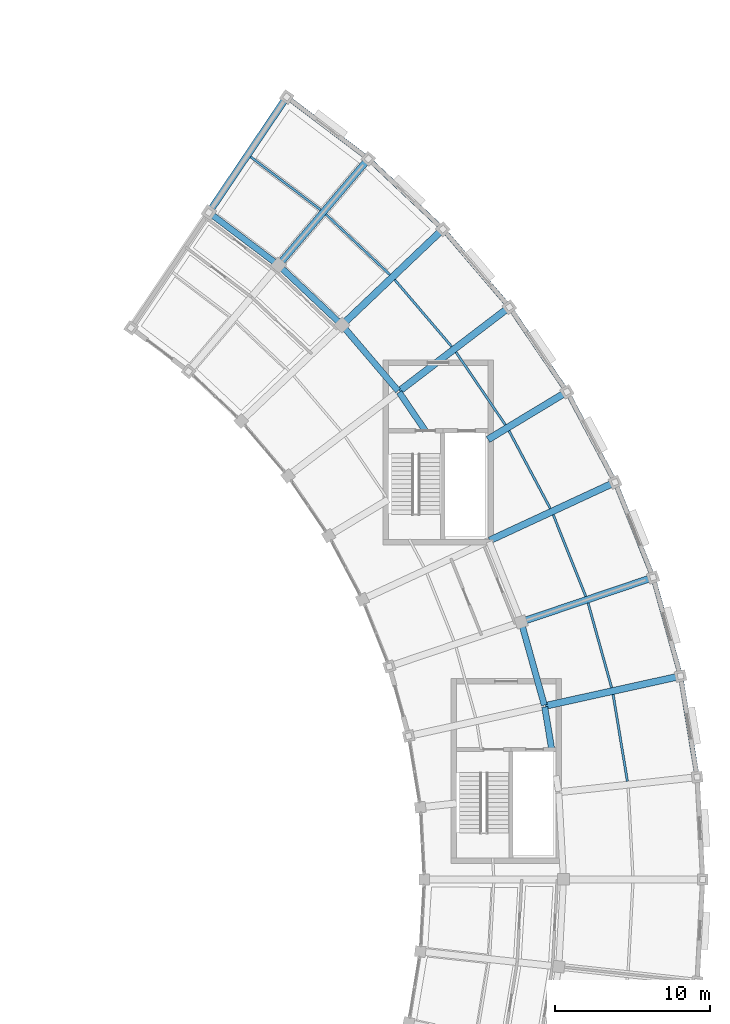
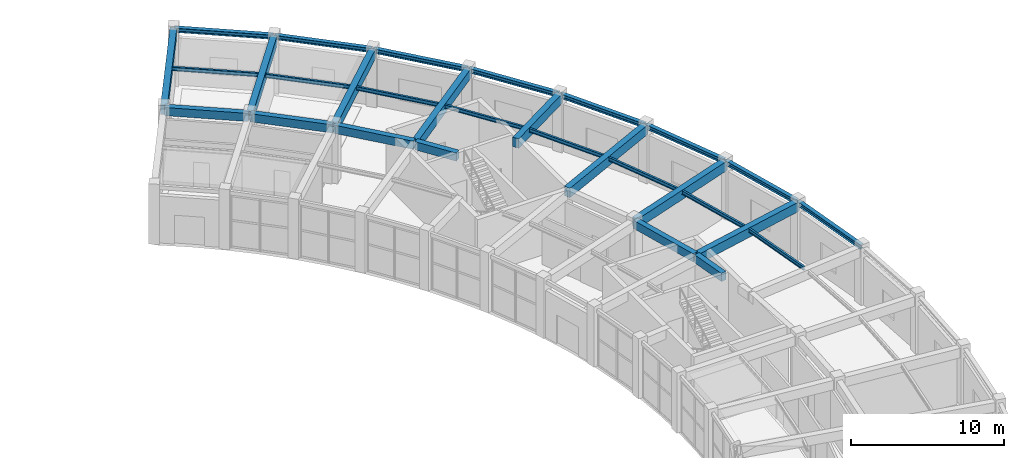
# One storey, part 76 of 108: 30 beams.
"""IFC4 building model written with IfcOpenShell, lengths in metres."""

from ifc_helpers import new_model, si_unit, direction, frame, origin, origin_2d, place, context, subcontext, project, spatial, rectangle, i_section, extrude, material, material_profile, profile_set, type_object, element, save


model = new_model("IFC4")

# Units and contexts
model_context = context("Model", 3, precision=1e-05, world=origin(), true_north=direction((0.0, 1.0)))
body_context = subcontext(model_context, "Body", "Model", "MODEL_VIEW")
ifc_project = project(units=[si_unit("LENGTHUNIT", "METRE"), si_unit("AREAUNIT", "SQUARE_METRE"), si_unit("VOLUMEUNIT", "CUBIC_METRE"), si_unit("PLANEANGLEUNIT", "RADIAN"), si_unit("MASSUNIT", "GRAM", prefix="KILO")], contexts=[model_context])

# Site, building, storey
site_placement = place(None, origin())
site = spatial("IfcSite", under=ifc_project, at=site_placement, CompositionType="ELEMENT")
building_placement = place(site_placement, origin())
building = spatial("IfcBuilding", under=site, at=building_placement, Name="Tarnveldt Headland Concert Hall", CompositionType="ELEMENT")
storey_placement = place(building_placement, origin())
storey = spatial("IfcBuildingStorey", under=building, at=storey_placement, Name="L00", CompositionType="ELEMENT", Elevation=0.0)

# Beams
ifc_material_1 = material(Name="Concrete C40/50", Category="concrete")
ifc_material_profile_1 = material_profile(ifc_material_1, rectangle(XDim=0.39990234375, YDim=0.64990234375, at=origin_2d()), Name="RC 400x650", Category="concrete")
ifc_profile_set_1 = profile_set([ifc_material_profile_1], Name="Concrete C40/50")
beam_type_1 = type_object("IfcBeamType", Name="CB-400x650", PredefinedType="BEAM", material=ifc_profile_set_1)
beam_1_placement = place(storey_placement, frame((168.739501953125, 68.39990234375, 4.195068359375), z_axis=(-0.162179692028, 0.986761241382, 0.0), x_axis=(-0.986761241382, -0.162179692028, 0.0)))
element("IfcBeam", 1, at=beam_1_placement, inside=storey, type_object=beam_type_1, Name="Framing beam L00-498", PredefinedType="BEAM", context=body_context, shape_type="SweptSolid", body=[
    extrude(rectangle(XDim=0.39990234375, YDim=0.64990234375, at=origin_2d()), origin(), (0.0, 0.0, 1.0), 2.783447265625),
])
beam_2_placement = place(storey_placement, frame((168.26220703125, 71.263427734375, 4.195068359375), z_axis=(-0.268165788284, 0.963372778313, 0.0), x_axis=(-0.963372778313, -0.268165788284, 0.0)))
element("IfcBeam", 2, at=beam_2_placement, inside=storey, type_object=beam_type_1, Name="Framing beam L00-505", PredefinedType="BEAM", context=body_context, shape_type="SweptSolid", body=[
    extrude(rectangle(XDim=0.39990234375, YDim=0.64990234375, at=origin_2d()), origin(), (0.0, 0.0, 1.0), 5.5244140625),
])
beam_3_placement = place(storey_placement, frame((160.57080078125, 89.0, 4.195068359375), z_axis=(-0.562434400968, 0.826841910288, 0.0), x_axis=(-0.826841910288, -0.562434400968, 0.0)))
element("IfcBeam", 3, at=beam_3_placement, inside=storey, type_object=beam_type_1, Name="Framing beam L00-525", PredefinedType="BEAM", context=body_context, shape_type="SweptSolid", body=[
    extrude(rectangle(XDim=0.39990234375, YDim=0.64990234375, at=origin_2d()), origin(), (0.0, 0.0, 1.0), 3.00634765625),
])
for number, where, z_axis, x_axis, name in (
    (4, (158.807373046875, 91.581298828125, 4.195068359375), (-0.648725364662, 0.761022602322, 0.0), (-0.761022602322, -0.648725364662, 0.0), "Framing beam L00-532"),
    (5, (155.14111328125, 95.872314453125, 4.195068359375), (-0.727401560734, 0.686212044081, 0.0), (-0.686212044081, -0.727401560734, 0.0), "Framing beam L00-539"),
):
    element("IfcBeam", number, at=place(storey_placement, frame(where, z_axis=z_axis, x_axis=x_axis)), inside=storey, type_object=beam_type_1, Name=name, PredefinedType="BEAM", context=body_context, shape_type="SweptSolid", body=[
        extrude(rectangle(XDim=0.39990234375, YDim=0.64990234375, at=origin_2d()), origin(), (0.0, 0.0, 1.0), 5.524169921875),
    ])
beam_4_placement = place(storey_placement, frame((151.031494140625, 99.740478515625, 4.195068359375), z_axis=(-0.79747936857, 0.603346216285, 0.0), x_axis=(-0.603346216285, -0.79747936857, 0.0)))
element("IfcBeam", 6, at=beam_4_placement, inside=storey, type_object=beam_type_1, Name="Framing beam L00-546", PredefinedType="BEAM", context=body_context, shape_type="SweptSolid", body=[
    extrude(rectangle(XDim=0.39990234375, YDim=0.64990234375, at=origin_2d()), origin(), (0.0, 0.0, 1.0), 5.524658203125),
])
ifc_material_profile_2 = material_profile(ifc_material_1, rectangle(XDim=0.449951171875, YDim=0.75, at=origin_2d()), Name="RC 450x750", Category="concrete")
ifc_profile_set_2 = profile_set([ifc_material_profile_2], Name="Concrete C40/50")
beam_type_2 = type_object("IfcBeamType", Name="CB-450x750", PredefinedType="BEAM", material=ifc_profile_set_2)
for number, where, z_axis, x_axis, name in (
    (7, (168.3369140625, 71.218505859375, 4.14501953125), (0.976505569656, 0.215492163268, 0.0), (-0.215492163268, 0.976505569656, 0.0), "Framing beam L00-503"),
    (8, (166.8212890625, 76.662353515625, 4.14501953125), (0.947394358085, 0.320068633686, 0.0), (-0.320068633686, 0.947394358085, 0.0), "Framing beam L00-510"),
    (9, (164.724853515625, 81.909912109375, 4.14501953125), (0.907125568287, 0.420860075749, 0.0), (-0.420860075749, 0.907125568287, 0.0), "Framing beam L00-517"),
):
    element("IfcBeam", number, at=place(storey_placement, frame(where, z_axis=z_axis, x_axis=x_axis)), inside=storey, type_object=beam_type_2, Name=name, PredefinedType="BEAM", context=body_context, shape_type="SweptSolid", body=[
        extrude(rectangle(XDim=0.449951171875, YDim=0.75, at=origin_2d()), origin(), (0.0, 0.0, 1.0), 8.880126953125),
    ])
beam_5_placement = place(storey_placement, frame((164.6201171875, 88.43701171875, 4.14501953125), z_axis=(0.856147288877, 0.516731864461, 0.0), x_axis=(-0.516731864461, 0.856147288877, 0.0)))
element("IfcBeam", 10, at=beam_5_placement, inside=storey, type_object=beam_type_2, Name="Framing beam L00-523", PredefinedType="BEAM", context=body_context, shape_type="SweptSolid", body=[
    extrude(rectangle(XDim=0.449951171875, YDim=0.75, at=origin_2d()), origin(), (0.0, 0.0, 1.0), 5.904052734375),
])
beam_6_placement = place(storey_placement, frame((158.89404296875, 91.572021484375, 4.14501953125), z_axis=(0.795130566959, 0.606438275084, 0.0), x_axis=(-0.606438275084, 0.795130566959, 0.0)))
element("IfcBeam", 11, at=beam_6_placement, inside=storey, type_object=beam_type_2, Name="Framing beam L00-530", PredefinedType="BEAM", context=body_context, shape_type="SweptSolid", body=[
    extrude(rectangle(XDim=0.449951171875, YDim=0.75, at=origin_2d()), origin(), (0.0, 0.0, 1.0), 8.879638671875),
])
beam_7_placement = place(storey_placement, frame((155.228271484375, 95.872314453125, 4.14501953125), z_axis=(0.724698020854, 0.689066599517, 0.0), x_axis=(-0.689066599517, 0.724698020854, 0.0)))
element("IfcBeam", 12, at=beam_7_placement, inside=storey, type_object=beam_type_2, Name="Framing beam L00-537", PredefinedType="BEAM", context=body_context, shape_type="SweptSolid", body=[
    extrude(rectangle(XDim=0.449951171875, YDim=0.75, at=origin_2d()), origin(), (0.0, 0.0, 1.0), 8.8798828125),
])
beam_8_placement = place(storey_placement, frame((151.117919921875, 99.750244140625, 4.14501953125), z_axis=(0.645759819996, 0.763540604604, 0.0), x_axis=(-0.763540604604, 0.645759819996, 0.0)))
element("IfcBeam", 13, at=beam_8_placement, inside=storey, type_object=beam_type_2, Name="Framing beam L00-544", PredefinedType="BEAM", context=body_context, shape_type="SweptSolid", body=[
    extrude(rectangle(XDim=0.449951171875, YDim=0.75, at=origin_2d()), origin(), (0.0, 0.0, 1.0), 8.880126953125),
])
beam_9_placement = place(storey_placement, frame((146.611572265625, 103.15966796875, 4.14501953125), z_axis=(0.5591904504, 0.829039227167, 0.0), x_axis=(-0.829039227167, 0.5591904504, 0.0)))
element("IfcBeam", 14, at=beam_9_placement, inside=storey, type_object=beam_type_2, Name="Framing beam L00-551", PredefinedType="BEAM", context=body_context, shape_type="SweptSolid", body=[
    extrude(rectangle(XDim=0.449951171875, YDim=0.75, at=origin_2d()), origin(), (0.0, 0.0, 1.0), 8.8798828125),
])
ifc_material_2 = material(Name="Steel S355", Category="steel")
ifc_material_profile_3 = material_profile(ifc_material_2, i_section(OverallWidth=0.300048828125, OverallDepth=0.35009765625, WebThickness=0.010009765625, FlangeThickness=0.017578125, FilletRadius=0.027099609375, at=origin_2d()), Name="HEA360", Category="steel")
ifc_profile_set_3 = profile_set([ifc_material_profile_3], Name="Steel S355")
beam_type_3 = type_object("IfcBeamType", Name="SB-HEA360", PredefinedType="SPANDREL", material=ifc_profile_set_3)
beam_10_placement = place(storey_placement, frame((178.130859375, 66.670654296875, 4.344970703125), z_axis=(-0.162188067735, 0.986759864752, 0.0), x_axis=(-0.986759864752, -0.162188067735, 0.0)))
element("IfcBeam", 15, at=beam_10_placement, inside=storey, type_object=beam_type_3, Name="Framing beam L00-499", PredefinedType="SPANDREL", context=body_context, shape_type="SweptSolid", body=[
    extrude(i_section(OverallWidth=0.300048828125, OverallDepth=0.35009765625, WebThickness=0.010009765625, FlangeThickness=0.017578125, FilletRadius=0.027099609375, at=origin_2d()), origin(), (0.0, 0.0, 1.0), 6.50146484375),
])
beam_11_placement = place(storey_placement, frame((177.05078125, 73.202880859375, 4.344970703125), z_axis=(-0.268162889674, 0.963373585169, 0.0), x_axis=(-0.963373585169, -0.268162889674, 0.0)))
element("IfcBeam", 16, at=beam_11_placement, inside=storey, type_object=beam_type_3, Name="Framing beam L00-506", PredefinedType="SPANDREL", context=body_context, shape_type="SweptSolid", body=[
    extrude(i_section(OverallWidth=0.300048828125, OverallDepth=0.35009765625, WebThickness=0.010009765625, FlangeThickness=0.017578125, FilletRadius=0.027099609375, at=origin_2d()), origin(), (0.0, 0.0, 1.0), 6.501220703125),
])
beam_12_placement = place(storey_placement, frame((175.268798828125, 79.57958984375, 4.344970703125), z_axis=(-0.370995678575, 0.928634592549, 0.0), x_axis=(-0.928634592549, -0.370995678575, 0.0)))
element("IfcBeam", 17, at=beam_12_placement, inside=storey, type_object=beam_type_3, Name="Framing beam L00-513", PredefinedType="SPANDREL", context=body_context, shape_type="SweptSolid", body=[
    extrude(i_section(OverallWidth=0.300048828125, OverallDepth=0.35009765625, WebThickness=0.010009765625, FlangeThickness=0.017578125, FilletRadius=0.027099609375, at=origin_2d()), origin(), (0.0, 0.0, 1.0), 6.5009765625),
])
beam_13_placement = place(storey_placement, frame((172.806396484375, 85.7255859375, 4.344970703125), z_axis=(-0.469455397466, 0.882956187922, 0.0), x_axis=(-0.882956187922, -0.469455397466, 0.0)))
element("IfcBeam", 18, at=beam_13_placement, inside=storey, type_object=beam_type_3, Name="Framing beam L00-519", PredefinedType="SPANDREL", context=body_context, shape_type="SweptSolid", body=[
    extrude(i_section(OverallWidth=0.300048828125, OverallDepth=0.35009765625, WebThickness=0.010009765625, FlangeThickness=0.017578125, FilletRadius=0.027099609375, at=origin_2d()), origin(), (0.0, 0.0, 1.0), 6.501220703125),
])
for number, where, z_axis, x_axis, name in (
    (19, (169.6923828125, 91.568359375, 4.344970703125), (-0.562406572897, 0.826860838813, 0.0), (-0.826860838813, -0.562406572897, 0.0), "Framing beam L00-526"),
    (20, (165.96337890625, 97.039306640625, 4.344970703125), (-0.648710643709, 0.761035150791, 0.0), (-0.761035150791, -0.648710643709, 0.0), "Framing beam L00-533"),
):
    element("IfcBeam", number, at=place(storey_placement, frame(where, z_axis=z_axis, x_axis=x_axis)), inside=storey, type_object=beam_type_3, Name=name, PredefinedType="SPANDREL", context=body_context, shape_type="SweptSolid", body=[
        extrude(i_section(OverallWidth=0.300048828125, OverallDepth=0.35009765625, WebThickness=0.010009765625, FlangeThickness=0.017578125, FilletRadius=0.027099609375, at=origin_2d()), origin(), (0.0, 0.0, 1.0), 6.5009765625),
    ])
beam_14_placement = place(storey_placement, frame((161.66357421875, 102.07373046875, 4.344970703125), z_axis=(-0.727385871825, 0.686228674328, 0.0), x_axis=(-0.686228674328, -0.727385871825, 0.0)))
element("IfcBeam", 21, at=beam_14_placement, inside=storey, type_object=beam_type_3, Name="Framing beam L00-540", PredefinedType="SPANDREL", context=body_context, shape_type="SweptSolid", body=[
    extrude(i_section(OverallWidth=0.300048828125, OverallDepth=0.35009765625, WebThickness=0.010009765625, FlangeThickness=0.017578125, FilletRadius=0.027099609375, at=origin_2d()), origin(), (0.0, 0.0, 1.0), 6.50146484375),
])
beam_15_placement = place(storey_placement, frame((156.84326171875, 106.612548828125, 4.344970703125), z_axis=(-0.797469381904, 0.603359416041, 0.0), x_axis=(-0.603359416041, -0.797469381904, 0.0)))
element("IfcBeam", 22, at=beam_15_placement, inside=storey, type_object=beam_type_3, Name="Framing beam L00-547", PredefinedType="SPANDREL", context=body_context, shape_type="SweptSolid", body=[
    extrude(i_section(OverallWidth=0.300048828125, OverallDepth=0.35009765625, WebThickness=0.010009765625, FlangeThickness=0.017578125, FilletRadius=0.027099609375, at=origin_2d()), origin(), (0.0, 0.0, 1.0), 6.501220703125),
])
ifc_material_profile_4 = material_profile(ifc_material_2, i_section(OverallWidth=0.14990234375, OverallDepth=0.300048828125, WebThickness=0.007080078125, FlangeThickness=0.0107421875, FilletRadius=0.014892578125, at=origin_2d()), Name="IPE300", Category="steel")
ifc_profile_set_4 = profile_set([ifc_material_profile_4], Name="Steel S355")
beam_type_4 = type_object("IfcBeamType", Name="SB-IPE300", PredefinedType="JOIST", material=ifc_profile_set_4)
for number, where, z_axis, x_axis, name in (
    (23, (173.630615234375, 66.345703125, 4.3701171875), (-0.16217623031, 0.986761810328, 0.0), (-0.986761810328, -0.16217623031, 0.0), "Framing beam L00-501"),
    (24, (172.6123046875, 72.39208984375, 4.3701171875), (-0.268206621843, 0.963361410894, 0.0), (-0.963361410894, -0.268206621843, 0.0), "Framing beam L00-508"),
):
    element("IfcBeam", number, at=place(storey_placement, frame(where, z_axis=z_axis, x_axis=x_axis)), inside=storey, type_object=beam_type_4, Name=name, PredefinedType="JOIST", context=body_context, shape_type="SweptSolid", body=[
        extrude(i_section(OverallWidth=0.14990234375, OverallDepth=0.300048828125, WebThickness=0.007080078125, FlangeThickness=0.0107421875, FilletRadius=0.014892578125, at=origin_2d()), origin(), (0.0, 0.0, 1.0), 5.682861328125),
    ])
beam_16_placement = place(storey_placement, frame((170.9443359375, 78.29248046875, 4.3701171875), z_axis=(-0.370983235335, 0.928639563609, 0.0), x_axis=(-0.928639563609, -0.370983235335, 0.0)))
element("IfcBeam", 25, at=beam_16_placement, inside=storey, type_object=beam_type_4, Name="Framing beam L00-515", PredefinedType="JOIST", context=body_context, shape_type="SweptSolid", body=[
    extrude(i_section(OverallWidth=0.14990234375, OverallDepth=0.300048828125, WebThickness=0.007080078125, FlangeThickness=0.0107421875, FilletRadius=0.014892578125, at=origin_2d()), origin(), (0.0, 0.0, 1.0), 5.6826171875),
])
beam_17_placement = place(storey_placement, frame((168.64697265625, 83.977294921875, 4.3701171875), z_axis=(-0.469481870432, 0.882942112109, 0.0), x_axis=(-0.882942112109, -0.469481870432, 0.0)))
element("IfcBeam", 26, at=beam_17_placement, inside=storey, type_object=beam_type_4, Name="Framing beam L00-521", PredefinedType="JOIST", context=body_context, shape_type="SweptSolid", body=[
    extrude(i_section(OverallWidth=0.14990234375, OverallDepth=0.300048828125, WebThickness=0.007080078125, FlangeThickness=0.0107421875, FilletRadius=0.014892578125, at=origin_2d()), origin(), (0.0, 0.0, 1.0), 5.682861328125),
])
beam_18_placement = place(storey_placement, frame((165.746826171875, 89.37939453125, 4.3701171875), z_axis=(-0.562379346424, 0.826879356808, 0.0), x_axis=(-0.826879356808, -0.562379346424, 0.0)))
element("IfcBeam", 27, at=beam_18_placement, inside=storey, type_object=beam_type_4, Name="Framing beam L00-528", PredefinedType="JOIST", context=body_context, shape_type="SweptSolid", body=[
    extrude(i_section(OverallWidth=0.14990234375, OverallDepth=0.300048828125, WebThickness=0.007080078125, FlangeThickness=0.0107421875, FilletRadius=0.014892578125, at=origin_2d()), origin(), (0.0, 0.0, 1.0), 5.68310546875),
])
for number, where, z_axis, x_axis, name in (
    (28, (162.2783203125, 94.435791015625, 4.3701171875), (-0.64872275513, 0.76102482678, 0.0), (-0.76102482678, -0.64872275513, 0.0), "Framing beam L00-535"),
    (29, (158.2822265625, 99.086181640625, 4.3701171875), (-0.727385964821, 0.686228575754, 0.0), (-0.686228575754, -0.727385964821, 0.0), "Framing beam L00-542"),
    (30, (153.8056640625, 103.276123046875, 4.3701171875), (-0.797482363925, 0.603342257122, 0.0), (-0.603342257122, -0.797482363925, 0.0), "Framing beam L00-549"),
):
    element("IfcBeam", number, at=place(storey_placement, frame(where, z_axis=z_axis, x_axis=x_axis)), inside=storey, type_object=beam_type_4, Name=name, PredefinedType="JOIST", context=body_context, shape_type="SweptSolid", body=[
        extrude(i_section(OverallWidth=0.14990234375, OverallDepth=0.300048828125, WebThickness=0.007080078125, FlangeThickness=0.0107421875, FilletRadius=0.014892578125, at=origin_2d()), origin(), (0.0, 0.0, 1.0), 5.682861328125),
    ])

save(model, "model.ifc")
